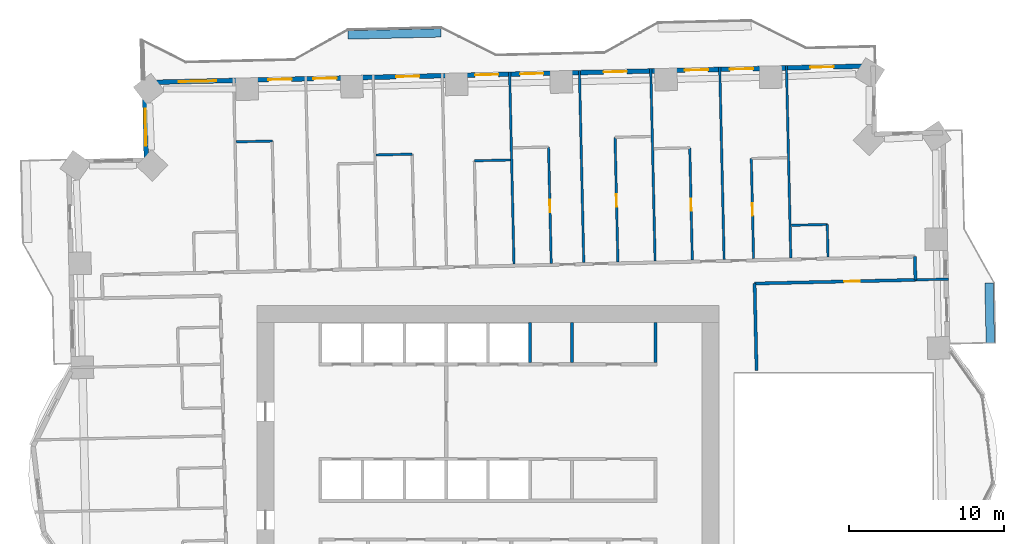
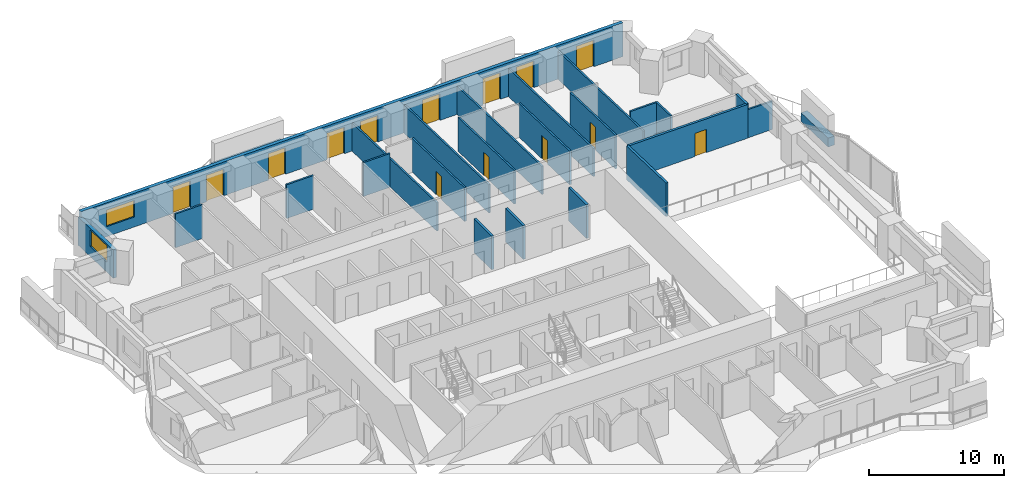
# One storey, part 12 of 17: 25 walls, 14 doors, 2 windows, 16 openings.
"""IFC4 building model written with IfcOpenShell, lengths in metres."""

from ifc_helpers import new_model, si_unit, direction, frame, frame_2d, origin, place, context, subcontext, project, spatial, rectangle, extrude, material, layer, layer_set, type_object, element, fill, save


model = new_model("IFC4")

# Units and contexts
model_context = context("Model", 3, precision=1e-05, world=origin(), true_north=direction((0.0, 1.0)))
body_context = subcontext(model_context, "Body", "Model", "MODEL_VIEW")
ifc_project = project(units=[si_unit("LENGTHUNIT", "METRE"), si_unit("AREAUNIT", "SQUARE_METRE"), si_unit("VOLUMEUNIT", "CUBIC_METRE"), si_unit("PLANEANGLEUNIT", "RADIAN"), si_unit("MASSUNIT", "GRAM", prefix="KILO")], contexts=[model_context])

# Site, building, storey
site_placement = place(None, origin())
site = spatial("IfcSite", under=ifc_project, at=site_placement, CompositionType="ELEMENT")
building_placement = place(site_placement, origin())
building = spatial("IfcBuilding", under=site, at=building_placement, Name="Mangrove Gate Tower", CompositionType="ELEMENT")
storey_placement = place(building_placement, frame((0.0, 0.0, 79.300048828125)))
storey = spatial("IfcBuildingStorey", under=building, at=storey_placement, Name="L19", CompositionType="ELEMENT", Elevation=79.300048828125)

# Walls
ifc_material_1 = material(Name="Concrete C32/40", Category="concrete")
ifc_layer_1 = layer(ifc_material_1, 0.199951171875)
ifc_layer_set_1 = layer_set([ifc_layer_1], Name="Core room wall 200 C32/40")
wall_type_1 = type_object("IfcWallType", Name="Core room wall 200 C32/40", PredefinedType="STANDARD", material=ifc_layer_set_1)
for number, where, z_axis, x_axis, name in (
    (1, (5.39990234375, 8.199951171875, 0.0), (0.0, 0.0, 1.0), (0.0, 1.0, 0.0), "WALL-L19-CORE-33"),
    (2, (10.800048828125, 8.199951171875, 0.0), (0.0, 0.0, 1.0), (0.0, 1.0, 0.0), "WALL-L19-CORE-34"),
):
    element("IfcWall", number, at=place(storey_placement, frame(where, z_axis=z_axis, x_axis=x_axis)), inside=storey, type_object=wall_type_1, Name=name, PredefinedType="STANDARD", context=body_context, shape_type="SweptSolid", body=[
        extrude(rectangle(XDim=2.60009765625, YDim=0.199951171875, at=frame_2d((1.300048828125, 0.0))), origin(), (0.0, 0.0, 1.0), 3.050048828125),
    ])
ifc_material_2 = material(Name="Concrete C70/85", Category="concrete")
ifc_layer_2 = layer(ifc_material_2, 0.199951171875)
ifc_layer_set_2 = layer_set([ifc_layer_2], Name="Core shaft wall 200 C70/85")
wall_type_2 = type_object("IfcWallType", Name="Core shaft wall 200 C70/85", PredefinedType="SHEAR", material=ifc_layer_set_2)
wall_1_placement = place(storey_placement, frame((2.699951171875, 8.199951171875, 0.0), z_axis=(0.0, 0.0, 1.0), x_axis=(0.0, 1.0, 0.0)))
element("IfcWall", 3, at=wall_1_placement, inside=storey, type_object=wall_type_2, Name="WALL-L19-CORE-32", PredefinedType="SHEAR", context=body_context, shape_type="SweptSolid", body=[
    extrude(rectangle(XDim=2.60009765625, YDim=0.199951171875, at=frame_2d((1.300048828125, 0.0))), origin(), (0.0, 0.0, 1.0), 3.050048828125),
])
ifc_material_3 = material(Name="Gypsum board on steel stud, EI 60", Category="steel")
ifc_layer_3 = layer(ifc_material_3, 0.199951171875)
ifc_layer_set_3 = layer_set([ifc_layer_3], Name="Corridor wall EI 60")
wall_type_3 = type_object("IfcWallType", Name="Corridor wall EI 60", PredefinedType="PARTITIONING", material=ifc_layer_set_3)
wall_2_placement = place(storey_placement, frame((17.306884765625, 7.68603515625, 0.0), z_axis=(0.0, 0.0, 1.0), x_axis=(-0.022584272568, 0.999744942789, 0.0)))
element("IfcWall", 4, at=wall_2_placement, inside=storey, type_object=wall_type_3, Name="WALL-L19-051", PredefinedType="PARTITIONING", context=body_context, shape_type="SweptSolid", body=[
    extrude(rectangle(XDim=5.621337890625, YDim=0.199951171875, at=frame_2d((2.810546875, 0.0))), origin(), (0.0, 0.0, 1.0), 3.050048828125),
])

# Wall, opening, door
wall_3_placement = place(storey_placement, frame((17.176025390625, 13.305908203125, 0.0), z_axis=(0.0, 0.0, 1.0), x_axis=(0.999741057438, 0.022755616292, 0.0)))
wall_3 = element("IfcWall", 5, at=wall_3_placement, inside=storey, type_object=wall_type_3, Name="WALL-L19-058", PredefinedType="PARTITIONING", context=body_context, shape_type="SweptSolid", body=[
    extrude(rectangle(XDim=10.374755859375, YDim=0.199951171875, at=frame_2d((5.1875, 0.0))), origin(), (0.0, 0.0, 1.0), 3.050048828125),
])
opening_1_placement = place(wall_3_placement, frame((5.782958984375, 0.0, 0.0)))
opening_1 = element("IfcOpeningElement", 6, at=opening_1_placement, cuts=wall_3, Name="Opening AD", PredefinedType="OPENING", context=body_context, shape_type="SweptSolid", body=[
    extrude(rectangle(XDim=1.0, YDim=2.10009765625, at=frame_2d((0.5, 1.050048828125))), frame((0.0, 0.10986328125, 0.0), z_axis=(0.0, -1.0, 0.0), x_axis=(1.0, 0.0, 0.0)), (0.0, 0.0, 1.0), 0.219970703125),
])
ifc_material_4 = material(Name="Timber door leaf", Category="wood")
door_type_1 = type_object("IfcDoorType", Name="Amenity door 1000", OperationType="SINGLE_SWING_LEFT", PredefinedType="DOOR", material=ifc_material_4)
door_1_placement = place(opening_1_placement, origin())
door_1 = element("IfcDoor", 7, at=door_1_placement, inside=storey, type_object=door_type_1, Name="DOOR-L19-LNG-c3a", OperationType="SINGLE_SWING_RIGHT", OverallHeight=2.10009765625, OverallWidth=1.0, PredefinedType="DOOR", context=body_context, shape_type="SweptSolid", body=[
    extrude(rectangle(XDim=1.0, YDim=2.10009765625, at=frame_2d((0.5, 1.050048828125))), frame((0.0, 0.02490234375, 0.0), z_axis=(0.0, -1.0, 0.0), x_axis=(1.0, 0.0, 0.0)), (0.0, 0.0, 1.0), 0.050048828125),
])
fill(opening_1, door_1)

# Wall
wall_4_placement = place(storey_placement, frame((27.547119140625, 13.5419921875, 0.0), z_axis=(0.0, 0.0, 1.0), x_axis=(-0.02279537805, 0.999740151609, 0.0)))
element("IfcWall", 8, at=wall_4_placement, inside=storey, type_object=wall_type_3, Name="WALL-L19-059", PredefinedType="PARTITIONING", context=body_context, shape_type="SweptSolid", body=[
    extrude(rectangle(XDim=1.49951171875, YDim=0.199951171875, at=frame_2d((0.749755859375, 0.0))), origin(), (0.0, 0.0, 1.0), 3.050048828125),
])

# Wall, openings, doors, window
ifc_material_5 = material(Name="Limestone", Category="masonry")
ifc_layer_4 = layer(ifc_material_5, 0.0400390625, Name="Limestone cladding")
ifc_material_6 = material(Name="Ventilated air gap")
ifc_layer_5 = layer(ifc_material_6, 0.0400390625, Name="Ventilated cavity")
ifc_material_7 = material(Name="Mineral wool insulation")
ifc_layer_6 = layer(ifc_material_7, 0.06005859375, Name="Insulation")
ifc_material_8 = material(Name="Breather membrane")
ifc_layer_7 = layer(ifc_material_8, 0.001953125, Name="Breather membrane")
ifc_material_9 = material(Name="Concrete C20/25 blockwork", Category="masonry")
ifc_layer_8 = layer(ifc_material_9, 0.14990234375, Name="Blockwork backing wall")
ifc_material_10 = material(Name="Gypsum plaster")
ifc_layer_9 = layer(ifc_material_10, 0.008056640625, Name="Internal plaster")
ifc_layer_set_4 = layer_set([ifc_layer_4, ifc_layer_5, ifc_layer_6, ifc_layer_7, ifc_layer_8, ifc_layer_9], Name="External wall 300 limestone cladding")
wall_type_4 = type_object("IfcWallType", Name="External wall 300 limestone cladding", PredefinedType="SOLIDWALL", material=ifc_layer_set_4)
wall_5_placement = place(storey_placement, frame((24.80908203125, 27.3330078125, 0.0), z_axis=(0.0, 0.0, 1.0), x_axis=(-0.999742489858, -0.022692597327, 0.0)))
wall_5 = element("IfcWall", 9, at=wall_5_placement, inside=storey, type_object=wall_type_4, Name="WALL-L19-N5", PredefinedType="SOLIDWALL", context=body_context, shape_type="SweptSolid", body=[
    extrude(rectangle(XDim=46.97216796875, YDim=0.300048828125, at=frame_2d((23.486083984375, 0.0))), origin(), (0.0, 0.0, 1.0), 3.050048828125),
])
opening_2_placement = place(wall_5_placement, frame((2.535888671875, 0.0, 0.0)))
opening_2 = element("IfcOpeningElement", 10, at=opening_2_placement, cuts=wall_5, Name="Opening BD1", PredefinedType="OPENING", context=body_context, shape_type="SweptSolid", body=[
    extrude(rectangle(XDim=1.5, YDim=2.39990234375, at=frame_2d((0.75, 1.199951171875))), frame((0.0, 0.159912109375, 0.0), z_axis=(0.0, -1.0, 0.0), x_axis=(1.0, 0.0, 0.0)), (0.0, 0.0, 1.0), 0.320068359375),
])
opening_3_placement = place(wall_5_placement, frame((7.72607421875, 0.0, 0.0)))
opening_3 = element("IfcOpeningElement", 11, at=opening_3_placement, cuts=wall_5, Name="Opening BD1", PredefinedType="OPENING", context=body_context, shape_type="SweptSolid", body=[
    extrude(rectangle(XDim=1.5, YDim=2.39990234375, at=frame_2d((0.75, 1.199951171875))), frame((0.0, 0.159912109375, 0.0), z_axis=(0.0, -1.0, 0.0), x_axis=(1.0, 0.0, 0.0)), (0.0, 0.0, 1.0), 0.320068359375),
])
opening_4_placement = place(wall_5_placement, frame((10.626953125, 0.0, 0.0)))
opening_4 = element("IfcOpeningElement", 12, at=opening_4_placement, cuts=wall_5, Name="Opening BD1", PredefinedType="OPENING", context=body_context, shape_type="SweptSolid", body=[
    extrude(rectangle(XDim=1.5, YDim=2.39990234375, at=frame_2d((0.75, 1.199951171875))), frame((0.0, 0.159912109375, 0.0), z_axis=(0.0, -1.0, 0.0), x_axis=(1.0, 0.0, 0.0)), (0.0, 0.0, 1.0), 0.320068359375),
])
opening_5_placement = place(wall_5_placement, frame((15.8720703125, 0.0, 0.0)))
opening_5 = element("IfcOpeningElement", 13, at=opening_5_placement, cuts=wall_5, Name="Opening BD1", PredefinedType="OPENING", context=body_context, shape_type="SweptSolid", body=[
    extrude(rectangle(XDim=1.5, YDim=2.39990234375, at=frame_2d((0.75, 1.199951171875))), frame((0.0, 0.159912109375, 0.0), z_axis=(0.0, -1.0, 0.0), x_axis=(1.0, 0.0, 0.0)), (0.0, 0.0, 1.0), 0.320068359375),
])
opening_6_placement = place(wall_5_placement, frame((21.2529296875, 0.0, 0.0)))
opening_6 = element("IfcOpeningElement", 14, at=opening_6_placement, cuts=wall_5, Name="Opening BD1", PredefinedType="OPENING", context=body_context, shape_type="SweptSolid", body=[
    extrude(rectangle(XDim=1.5, YDim=2.39990234375, at=frame_2d((0.75, 1.199951171875))), frame((0.0, 0.159912109375, 0.0), z_axis=(0.0, -1.0, 0.0), x_axis=(1.0, 0.0, 0.0)), (0.0, 0.0, 1.0), 0.320068359375),
])
opening_7_placement = place(wall_5_placement, frame((24.155029296875, 0.0, 0.0)))
opening_7 = element("IfcOpeningElement", 15, at=opening_7_placement, cuts=wall_5, Name="Opening BD1", PredefinedType="OPENING", context=body_context, shape_type="SweptSolid", body=[
    extrude(rectangle(XDim=1.5, YDim=2.39990234375, at=frame_2d((0.75, 1.199951171875))), frame((0.0, 0.159912109375, 0.0), z_axis=(0.0, -1.0, 0.0), x_axis=(1.0, 0.0, 0.0)), (0.0, 0.0, 1.0), 0.320068359375),
])
opening_8_placement = place(wall_5_placement, frame((29.2470703125, 0.0, 0.0)))
opening_8 = element("IfcOpeningElement", 16, at=opening_8_placement, cuts=wall_5, Name="Opening BD1", PredefinedType="OPENING", context=body_context, shape_type="SweptSolid", body=[
    extrude(rectangle(XDim=1.5, YDim=2.39990234375, at=frame_2d((0.75, 1.199951171875))), frame((0.0, 0.159912109375, 0.0), z_axis=(0.0, -1.0, 0.0), x_axis=(1.0, 0.0, 0.0)), (0.0, 0.0, 1.0), 0.320068359375),
])
opening_9_placement = place(wall_5_placement, frame((34.5810546875, 0.0, 0.0)))
opening_9 = element("IfcOpeningElement", 17, at=opening_9_placement, cuts=wall_5, Name="Opening BD1", PredefinedType="OPENING", context=body_context, shape_type="SweptSolid", body=[
    extrude(rectangle(XDim=1.5, YDim=2.39990234375, at=frame_2d((0.75, 1.199951171875))), frame((0.0, 0.159912109375, 0.0), z_axis=(0.0, -1.0, 0.0), x_axis=(1.0, 0.0, 0.0)), (0.0, 0.0, 1.0), 0.320068359375),
])
opening_10_placement = place(wall_5_placement, frame((37.48291015625, 0.0, 0.0)))
opening_10 = element("IfcOpeningElement", 18, at=opening_10_placement, cuts=wall_5, Name="Opening BD1", PredefinedType="OPENING", context=body_context, shape_type="SweptSolid", body=[
    extrude(rectangle(XDim=1.5, YDim=2.39990234375, at=frame_2d((0.75, 1.199951171875))), frame((0.0, 0.159912109375, 0.0), z_axis=(0.0, -1.0, 0.0), x_axis=(1.0, 0.0, 0.0)), (0.0, 0.0, 1.0), 0.320068359375),
])
opening_11_placement = place(wall_5_placement, frame((42.35009765625, 0.0, 0.89990234375)))
opening_11 = element("IfcOpeningElement", 19, at=opening_11_placement, cuts=wall_5, Name="Opening W2", PredefinedType="OPENING", context=body_context, shape_type="SweptSolid", body=[
    extrude(rectangle(XDim=2.39990234375, YDim=1.5, at=frame_2d((1.199951171875, 0.75))), frame((0.0, 0.159912109375, 0.0), z_axis=(0.0, -1.0, 0.0), x_axis=(1.0, 0.0, 0.0)), (0.0, 0.0, 1.0), 0.320068359375),
])
ifc_material_11 = material(Name="Aluminium frame with laminated clear glass", Category="aluminium")
door_type_2 = type_object("IfcDoorType", Name="Balcony sliding door 1500x2400", OperationType="SLIDING_TO_LEFT", PredefinedType="DOOR", material=ifc_material_11)
door_2_placement = place(opening_2_placement, origin())
door_2 = element("IfcDoor", 20, at=door_2_placement, inside=storey, type_object=door_type_2, Name="DOOR-L19-N5-1", OperationType="SLIDING_TO_LEFT", OverallHeight=2.39990234375, OverallWidth=1.5, PredefinedType="DOOR", context=body_context, shape_type="SweptSolid", body=[
    extrude(rectangle(XDim=1.5, YDim=2.39990234375, at=frame_2d((0.75, 1.199951171875))), frame((0.0, 0.02490234375, 0.0), z_axis=(0.0, -1.0, 0.0), x_axis=(1.0, 0.0, 0.0)), (0.0, 0.0, 1.0), 0.050048828125),
])
fill(opening_2, door_2)
door_3_placement = place(opening_3_placement, origin())
door_3 = element("IfcDoor", 21, at=door_3_placement, inside=storey, type_object=door_type_2, Name="DOOR-L19-N5-2", OperationType="SLIDING_TO_LEFT", OverallHeight=2.39990234375, OverallWidth=1.5, PredefinedType="DOOR", context=body_context, shape_type="SweptSolid", body=[
    extrude(rectangle(XDim=1.5, YDim=2.39990234375, at=frame_2d((0.75, 1.199951171875))), frame((0.0, 0.02490234375, 0.0), z_axis=(0.0, -1.0, 0.0), x_axis=(1.0, 0.0, 0.0)), (0.0, 0.0, 1.0), 0.050048828125),
])
fill(opening_3, door_3)
door_4_placement = place(opening_4_placement, origin())
door_4 = element("IfcDoor", 22, at=door_4_placement, inside=storey, type_object=door_type_2, Name="DOOR-L19-N5-3", OperationType="SLIDING_TO_LEFT", OverallHeight=2.39990234375, OverallWidth=1.5, PredefinedType="DOOR", context=body_context, shape_type="SweptSolid", body=[
    extrude(rectangle(XDim=1.5, YDim=2.39990234375, at=frame_2d((0.75, 1.199951171875))), frame((0.0, 0.02490234375, 0.0), z_axis=(0.0, -1.0, 0.0), x_axis=(1.0, 0.0, 0.0)), (0.0, 0.0, 1.0), 0.050048828125),
])
fill(opening_4, door_4)
door_5_placement = place(opening_5_placement, origin())
door_5 = element("IfcDoor", 23, at=door_5_placement, inside=storey, type_object=door_type_2, Name="DOOR-L19-N5-4", OperationType="SLIDING_TO_LEFT", OverallHeight=2.39990234375, OverallWidth=1.5, PredefinedType="DOOR", context=body_context, shape_type="SweptSolid", body=[
    extrude(rectangle(XDim=1.5, YDim=2.39990234375, at=frame_2d((0.75, 1.199951171875))), frame((0.0, 0.02490234375, 0.0), z_axis=(0.0, -1.0, 0.0), x_axis=(1.0, 0.0, 0.0)), (0.0, 0.0, 1.0), 0.050048828125),
])
fill(opening_5, door_5)
door_6_placement = place(opening_6_placement, origin())
door_6 = element("IfcDoor", 24, at=door_6_placement, inside=storey, type_object=door_type_2, Name="DOOR-L19-N5-5", OperationType="SLIDING_TO_LEFT", OverallHeight=2.39990234375, OverallWidth=1.5, PredefinedType="DOOR", context=body_context, shape_type="SweptSolid", body=[
    extrude(rectangle(XDim=1.5, YDim=2.39990234375, at=frame_2d((0.75, 1.199951171875))), frame((0.0, 0.02490234375, 0.0), z_axis=(0.0, -1.0, 0.0), x_axis=(1.0, 0.0, 0.0)), (0.0, 0.0, 1.0), 0.050048828125),
])
fill(opening_6, door_6)
door_7_placement = place(opening_7_placement, origin())
door_7 = element("IfcDoor", 25, at=door_7_placement, inside=storey, type_object=door_type_2, Name="DOOR-L19-N5-6", OperationType="SLIDING_TO_LEFT", OverallHeight=2.39990234375, OverallWidth=1.5, PredefinedType="DOOR", context=body_context, shape_type="SweptSolid", body=[
    extrude(rectangle(XDim=1.5, YDim=2.39990234375, at=frame_2d((0.75, 1.199951171875))), frame((0.0, 0.02490234375, 0.0), z_axis=(0.0, -1.0, 0.0), x_axis=(1.0, 0.0, 0.0)), (0.0, 0.0, 1.0), 0.050048828125),
])
fill(opening_7, door_7)
door_8_placement = place(opening_8_placement, origin())
door_8 = element("IfcDoor", 26, at=door_8_placement, inside=storey, type_object=door_type_2, Name="DOOR-L19-N5-7", OperationType="SLIDING_TO_LEFT", OverallHeight=2.39990234375, OverallWidth=1.5, PredefinedType="DOOR", context=body_context, shape_type="SweptSolid", body=[
    extrude(rectangle(XDim=1.5, YDim=2.39990234375, at=frame_2d((0.75, 1.199951171875))), frame((0.0, 0.02490234375, 0.0), z_axis=(0.0, -1.0, 0.0), x_axis=(1.0, 0.0, 0.0)), (0.0, 0.0, 1.0), 0.050048828125),
])
fill(opening_8, door_8)
door_9_placement = place(opening_9_placement, origin())
door_9 = element("IfcDoor", 27, at=door_9_placement, inside=storey, type_object=door_type_2, Name="DOOR-L19-N5-8", OperationType="SLIDING_TO_LEFT", OverallHeight=2.39990234375, OverallWidth=1.5, PredefinedType="DOOR", context=body_context, shape_type="SweptSolid", body=[
    extrude(rectangle(XDim=1.5, YDim=2.39990234375, at=frame_2d((0.75, 1.199951171875))), frame((0.0, 0.02490234375, 0.0), z_axis=(0.0, -1.0, 0.0), x_axis=(1.0, 0.0, 0.0)), (0.0, 0.0, 1.0), 0.050048828125),
])
fill(opening_9, door_9)
door_10_placement = place(opening_10_placement, origin())
door_10 = element("IfcDoor", 28, at=door_10_placement, inside=storey, type_object=door_type_2, Name="DOOR-L19-N5-9", OperationType="SLIDING_TO_LEFT", OverallHeight=2.39990234375, OverallWidth=1.5, PredefinedType="DOOR", context=body_context, shape_type="SweptSolid", body=[
    extrude(rectangle(XDim=1.5, YDim=2.39990234375, at=frame_2d((0.75, 1.199951171875))), frame((0.0, 0.02490234375, 0.0), z_axis=(0.0, -1.0, 0.0), x_axis=(1.0, 0.0, 0.0)), (0.0, 0.0, 1.0), 0.050048828125),
])
fill(opening_10, door_10)
ifc_material_12 = material(Name="Aluminium frame with double-glazed low-e glass", Category="aluminium")
window_type = type_object("IfcWindowType", Name="Corner room window 2400x1500", PartitioningType="DOUBLE_PANEL_VERTICAL", PredefinedType="WINDOW", material=ifc_material_12)
window_1_placement = place(opening_11_placement, origin())
window_1 = element("IfcWindow", 29, at=window_1_placement, inside=storey, type_object=window_type, Name="WIN-L19-N5-10", OverallHeight=1.5, OverallWidth=2.39990234375, PartitioningType="DOUBLE_PANEL_VERTICAL", PredefinedType="WINDOW", context=body_context, shape_type="SweptSolid", body=[
    extrude(rectangle(XDim=2.39990234375, YDim=1.5, at=frame_2d((1.199951171875, 0.75))), frame((0.0, 0.030029296875, 0.0), z_axis=(0.0, -1.0, 0.0), x_axis=(1.0, 0.0, 0.0)), (0.0, 0.0, 1.0), 0.06005859375),
])
fill(opening_11, window_1)

# Wall, opening, window
wall_6_placement = place(storey_placement, frame((-22.15087890625, 26.26708984375, 0.0), z_axis=(0.0, 0.0, 1.0), x_axis=(0.022756903044, -0.999741028149, 0.0)))
wall_6 = element("IfcWall", 30, at=wall_6_placement, inside=storey, type_object=wall_type_4, Name="WALL-L19-W6", PredefinedType="SOLIDWALL", context=body_context, shape_type="SweptSolid", body=[
    extrude(rectangle(XDim=4.999267578125, YDim=0.300048828125, at=frame_2d((2.49951171875, 0.0))), origin(), (0.0, 0.0, 1.0), 2.550048828125),
])
opening_12_placement = place(wall_6_placement, frame((1.69189453125, 0.0, 0.89990234375)))
opening_12 = element("IfcOpeningElement", 31, at=opening_12_placement, cuts=wall_6, Name="Opening W2", PredefinedType="OPENING", context=body_context, shape_type="SweptSolid", body=[
    extrude(rectangle(XDim=2.39990234375, YDim=1.5, at=frame_2d((1.199951171875, 0.75))), frame((0.0, 0.159912109375, 0.0), z_axis=(0.0, -1.0, 0.0), x_axis=(1.0, 0.0, 0.0)), (0.0, 0.0, 1.0), 0.320068359375),
])
window_2_placement = place(opening_12_placement, origin())
window_2 = element("IfcWindow", 32, at=window_2_placement, inside=storey, type_object=window_type, Name="WIN-L19-W6-1", OverallHeight=1.5, OverallWidth=2.39990234375, PartitioningType="DOUBLE_PANEL_VERTICAL", PredefinedType="WINDOW", context=body_context, shape_type="SweptSolid", body=[
    extrude(rectangle(XDim=2.39990234375, YDim=1.5, at=frame_2d((1.199951171875, 0.75))), frame((0.0, 0.030029296875, 0.0), z_axis=(0.0, -1.0, 0.0), x_axis=(1.0, 0.0, 0.0)), (0.0, 0.0, 1.0), 0.06005859375),
])
fill(opening_12, window_2)

# Walls
ifc_material_13 = material(Name="Gypsum board on steel stud, EI 60", Category="steel")
ifc_layer_10 = layer(ifc_material_13, 0.14990234375)
ifc_layer_set_5 = layer_set([ifc_layer_10], Name="Party wall 150 EI 60")
wall_type_5 = type_object("IfcWallType", Name="Party wall 150 EI 60", PredefinedType="PARTITIONING", material=ifc_layer_set_5)
wall_7_placement = place(storey_placement, frame((27.548095703125, 13.5419921875, 0.0), z_axis=(0.0, 0.0, 1.0), x_axis=(0.999743730464, 0.022637875276, 0.0)))
element("IfcWall", 33, at=wall_7_placement, inside=storey, type_object=wall_type_5, Name="WALL-L19-060", PredefinedType="PARTITIONING", context=body_context, shape_type="SweptSolid", body=[
    extrude(rectangle(XDim=2.12451171875, YDim=0.14990234375, at=frame_2d((1.062255859375, 0.0))), origin(), (0.0, 0.0, 1.0), 2.550048828125),
])
wall_8_placement = place(storey_placement, frame((1.6669921875, 14.554931640625, 0.0), z_axis=(0.0, 0.0, 1.0), x_axis=(-0.022661475803, 0.999743195783, 0.0)))
element("IfcWall", 34, at=wall_8_placement, inside=storey, type_object=wall_type_5, Name="WALL-L19-071", PredefinedType="PARTITIONING", context=body_context, shape_type="SweptSolid", body=[
    extrude(rectangle(XDim=12.400146484375, YDim=0.14990234375, at=frame_2d((6.2001953125, 0.0))), origin(), (0.0, 0.0, 1.0), 2.550048828125),
])

# Wall, opening, door
wall_9_placement = place(storey_placement, frame((4.06689453125, 14.60888671875, 0.0), z_axis=(0.0, 0.0, 1.0), x_axis=(-0.022786475911, 0.99974035455, 0.0)))
wall_9 = element("IfcWall", 35, at=wall_9_placement, inside=storey, type_object=wall_type_5, Name="WALL-L19-072", PredefinedType="PARTITIONING", context=body_context, shape_type="SweptSolid", body=[
    extrude(rectangle(XDim=7.5, YDim=0.14990234375, at=frame_2d((3.75, 0.0))), origin(), (0.0, 0.0, 1.0), 3.050048828125),
])
opening_13_placement = place(wall_9_placement, frame((3.300048828125, 0.0, 0.0)))
opening_13 = element("IfcOpeningElement", 36, at=opening_13_placement, cuts=wall_9, Name="Opening ED", PredefinedType="OPENING", context=body_context, shape_type="SweptSolid", body=[
    extrude(rectangle(XDim=0.800048828125, YDim=2.10009765625, at=frame_2d((0.39990234375, 1.050048828125))), frame((0.0, 0.0849609375, 0.0), z_axis=(0.0, -1.0, 0.0), x_axis=(1.0, 0.0, 0.0)), (0.0, 0.0, 1.0), 0.169921875),
])
ifc_material_14 = material(Name="Timber door leaf", Category="wood")
door_type_3 = type_object("IfcDoorType", Name="En-suite door 800", OperationType="SINGLE_SWING_LEFT", PredefinedType="DOOR", material=ifc_material_14)
door_11_placement = place(opening_13_placement, origin())
door_11 = element("IfcDoor", 37, at=door_11_placement, inside=storey, type_object=door_type_3, Name="DOOR-L19-ENS-c412", OperationType="SINGLE_SWING_RIGHT", OverallHeight=2.10009765625, OverallWidth=0.800048828125, PredefinedType="DOOR", context=body_context, shape_type="SweptSolid", body=[
    extrude(rectangle(XDim=0.800048828125, YDim=2.10009765625, at=frame_2d((0.39990234375, 1.050048828125))), frame((0.0, 0.02490234375, 0.0), z_axis=(0.0, -1.0, 0.0), x_axis=(1.0, 0.0, 0.0)), (0.0, 0.0, 1.0), 0.050048828125),
])
fill(opening_13, door_11)

# Wall
wall_10_placement = place(storey_placement, frame((6.166015625, 14.656982421875, 0.0), z_axis=(0.0, 0.0, 1.0), x_axis=(-0.022661475803, 0.999743195783, 0.0)))
element("IfcWall", 38, at=wall_10_placement, inside=storey, type_object=wall_type_5, Name="WALL-L19-073", PredefinedType="PARTITIONING", context=body_context, shape_type="SweptSolid", body=[
    extrude(rectangle(XDim=12.400146484375, YDim=0.14990234375, at=frame_2d((6.2001953125, 0.0))), origin(), (0.0, 0.0, 1.0), 2.550048828125),
])

# Wall, opening, door
wall_11_placement = place(storey_placement, frame((8.365966796875, 14.70703125, 0.0), z_axis=(0.0, 0.0, 1.0), x_axis=(-0.022771820566, 0.999740688473, 0.0)))
wall_11 = element("IfcWall", 39, at=wall_11_placement, inside=storey, type_object=wall_type_5, Name="WALL-L19-074", PredefinedType="PARTITIONING", context=body_context, shape_type="SweptSolid", body=[
    extrude(rectangle(XDim=8.0302734375, YDim=0.14990234375, at=frame_2d((4.01513671875, 0.0))), origin(), (0.0, 0.0, 1.0), 3.050048828125),
])
opening_14_placement = place(wall_11_placement, frame((3.56494140625, 0.0, 0.0)))
opening_14 = element("IfcOpeningElement", 40, at=opening_14_placement, cuts=wall_11, Name="Opening ED", PredefinedType="OPENING", context=body_context, shape_type="SweptSolid", body=[
    extrude(rectangle(XDim=0.800048828125, YDim=2.10009765625, at=frame_2d((0.39990234375, 1.050048828125))), frame((0.0, 0.0849609375, 0.0), z_axis=(0.0, -1.0, 0.0), x_axis=(1.0, 0.0, 0.0)), (0.0, 0.0, 1.0), 0.169921875),
])
door_12_placement = place(opening_14_placement, origin())
door_12 = element("IfcDoor", 41, at=door_12_placement, inside=storey, type_object=door_type_3, Name="DOOR-L19-ENS-c411", OperationType="SINGLE_SWING_LEFT", OverallHeight=2.10009765625, OverallWidth=0.800048828125, PredefinedType="DOOR", context=body_context, shape_type="SweptSolid", body=[
    extrude(rectangle(XDim=0.800048828125, YDim=2.10009765625, at=frame_2d((0.39990234375, 1.050048828125))), frame((0.0, 0.02490234375, 0.0), z_axis=(0.0, -1.0, 0.0), x_axis=(1.0, 0.0, 0.0)), (0.0, 0.0, 1.0), 0.050048828125),
])
fill(opening_14, door_12)

# Wall
wall_12_placement = place(storey_placement, frame((10.764892578125, 14.760986328125, 0.0), z_axis=(0.0, 0.0, 1.0), x_axis=(-0.022661475803, 0.999743195783, 0.0)))
element("IfcWall", 42, at=wall_12_placement, inside=storey, type_object=wall_type_5, Name="WALL-L19-075", PredefinedType="PARTITIONING", context=body_context, shape_type="SweptSolid", body=[
    extrude(rectangle(XDim=12.400146484375, YDim=0.14990234375, at=frame_2d((6.2001953125, 0.0))), origin(), (0.0, 0.0, 1.0), 2.550048828125),
])

# Wall, opening, door
wall_13_placement = place(storey_placement, frame((13.1640625, 14.81591796875, 0.0), z_axis=(0.0, 0.0, 1.0), x_axis=(-0.022660891034, 0.999743209038, 0.0)))
wall_13 = element("IfcWall", 43, at=wall_13_placement, inside=storey, type_object=wall_type_5, Name="WALL-L19-076", PredefinedType="PARTITIONING", context=body_context, shape_type="SweptSolid", body=[
    extrude(rectangle(XDim=7.239990234375, YDim=0.14990234375, at=frame_2d((3.6201171875, 0.0))), origin(), (0.0, 0.0, 1.0), 3.050048828125),
])
opening_15_placement = place(wall_13_placement, frame((3.169921875, 0.0, 0.0)))
opening_15 = element("IfcOpeningElement", 44, at=opening_15_placement, cuts=wall_13, Name="Opening ED", PredefinedType="OPENING", context=body_context, shape_type="SweptSolid", body=[
    extrude(rectangle(XDim=0.800048828125, YDim=2.10009765625, at=frame_2d((0.39990234375, 1.050048828125))), frame((0.0, 0.0849609375, 0.0), z_axis=(0.0, -1.0, 0.0), x_axis=(1.0, 0.0, 0.0)), (0.0, 0.0, 1.0), 0.169921875),
])
door_13_placement = place(opening_15_placement, origin())
door_13 = element("IfcDoor", 45, at=door_13_placement, inside=storey, type_object=door_type_3, Name="DOOR-L19-ENS-c310", OperationType="SINGLE_SWING_RIGHT", OverallHeight=2.10009765625, OverallWidth=0.800048828125, PredefinedType="DOOR", context=body_context, shape_type="SweptSolid", body=[
    extrude(rectangle(XDim=0.800048828125, YDim=2.10009765625, at=frame_2d((0.39990234375, 1.050048828125))), frame((0.0, 0.02490234375, 0.0), z_axis=(0.0, -1.0, 0.0), x_axis=(1.0, 0.0, 0.0)), (0.0, 0.0, 1.0), 0.050048828125),
])
fill(opening_15, door_13)

# Wall
wall_14_placement = place(storey_placement, frame((15.214111328125, 14.862060546875, 0.0), z_axis=(0.0, 0.0, 1.0), x_axis=(-0.022759867473, 0.999740960666, 0.0)))
element("IfcWall", 46, at=wall_14_placement, inside=storey, type_object=wall_type_5, Name="WALL-L19-077", PredefinedType="PARTITIONING", context=body_context, shape_type="SweptSolid", body=[
    extrude(rectangle(XDim=12.400146484375, YDim=0.14990234375, at=frame_2d((6.2001953125, 0.0))), origin(), (0.0, 0.0, 1.0), 2.550048828125),
])

# Wall, opening, door
wall_15_placement = place(storey_placement, frame((17.113037109375, 14.905029296875, 0.0), z_axis=(0.0, 0.0, 1.0), x_axis=(-0.022597796078, 0.999744637201, 0.0)))
wall_15 = element("IfcWall", 47, at=wall_15_placement, inside=storey, type_object=wall_type_5, Name="WALL-L19-078", PredefinedType="PARTITIONING", context=body_context, shape_type="SweptSolid", body=[
    extrude(rectangle(XDim=6.460693359375, YDim=0.14990234375, at=frame_2d((3.23046875, 0.0))), origin(), (0.0, 0.0, 1.0), 3.050048828125),
])
opening_16_placement = place(wall_15_placement, frame((2.780029296875, 0.0, 0.0)))
opening_16 = element("IfcOpeningElement", 48, at=opening_16_placement, cuts=wall_15, Name="Opening ED", PredefinedType="OPENING", context=body_context, shape_type="SweptSolid", body=[
    extrude(rectangle(XDim=0.800048828125, YDim=2.10009765625, at=frame_2d((0.39990234375, 1.050048828125))), frame((0.0, 0.0849609375, 0.0), z_axis=(0.0, -1.0, 0.0), x_axis=(1.0, 0.0, 0.0)), (0.0, 0.0, 1.0), 0.169921875),
])
door_14_placement = place(opening_16_placement, origin())
door_14 = element("IfcDoor", 49, at=door_14_placement, inside=storey, type_object=door_type_3, Name="DOOR-L19-ENS-c309", OperationType="SINGLE_SWING_LEFT", OverallHeight=2.10009765625, OverallWidth=0.800048828125, PredefinedType="DOOR", context=body_context, shape_type="SweptSolid", body=[
    extrude(rectangle(XDim=0.800048828125, YDim=2.10009765625, at=frame_2d((0.39990234375, 1.050048828125))), frame((0.0, 0.02490234375, 0.0), z_axis=(0.0, -1.0, 0.0), x_axis=(1.0, 0.0, 0.0)), (0.0, 0.0, 1.0), 0.050048828125),
])
fill(opening_16, door_14)

# Walls
wall_16_placement = place(storey_placement, frame((19.512939453125, 14.9599609375, 0.0), z_axis=(0.0, 0.0, 1.0), x_axis=(-0.022740189192, 0.999741408463, 0.0)))
element("IfcWall", 50, at=wall_16_placement, inside=storey, type_object=wall_type_5, Name="WALL-L19-079", PredefinedType="PARTITIONING", context=body_context, shape_type="SweptSolid", body=[
    extrude(rectangle(XDim=12.400146484375, YDim=0.14990234375, at=frame_2d((6.2001953125, 0.0))), origin(), (0.0, 0.0, 1.0), 2.550048828125),
])
wall_17_placement = place(storey_placement, frame((21.912109375, 15.013916015625, 0.0), z_axis=(0.0, 0.0, 1.0), x_axis=(-0.022895647347, 0.999737860308, 0.0)))
element("IfcWall", 51, at=wall_17_placement, inside=storey, type_object=wall_type_5, Name="WALL-L19-080", PredefinedType="PARTITIONING", context=body_context, shape_type="SweptSolid", body=[
    extrude(rectangle(XDim=2.1005859375, YDim=0.14990234375, at=frame_2d((1.05029296875, 0.0))), origin(), (0.0, 0.0, 1.0), 3.050048828125),
])
wall_18_placement = place(storey_placement, frame((19.5439453125, 17.06103515625, 0.0), z_axis=(0.0, 0.0, 1.0), x_axis=(0.999740260747, 0.02279059109, 0.0)))
element("IfcWall", 52, at=wall_18_placement, inside=storey, type_object=wall_type_5, Name="WALL-L19-081", PredefinedType="PARTITIONING", context=body_context, shape_type="SweptSolid", body=[
    extrude(rectangle(XDim=2.324462890625, YDim=0.14990234375, at=frame_2d((1.162109375, 0.0))), origin(), (0.0, 0.0, 1.0), 3.050048828125),
])
wall_19_placement = place(storey_placement, frame((-0.881103515625, 21.218994140625, 0.0), z_axis=(0.0, 0.0, 1.0), x_axis=(0.99974053329, 0.022778632478, 0.0)))
element("IfcWall", 53, at=wall_19_placement, inside=storey, type_object=wall_type_5, Name="WALL-L19-085", PredefinedType="PARTITIONING", context=body_context, shape_type="SweptSolid", body=[
    extrude(rectangle(XDim=2.32568359375, YDim=0.14990234375, at=frame_2d((1.162841796875, 0.0))), origin(), (0.0, 0.0, 1.0), 3.050048828125),
])
wall_20_placement = place(storey_placement, frame((-7.216064453125, 21.594970703125, 0.0), z_axis=(0.0, 0.0, 1.0), x_axis=(0.999740478815, 0.022781023197, 0.0)))
element("IfcWall", 54, at=wall_20_placement, inside=storey, type_object=wall_type_5, Name="WALL-L19-086", PredefinedType="PARTITIONING", context=body_context, shape_type="SweptSolid", body=[
    extrude(rectangle(XDim=2.325439453125, YDim=0.14990234375, at=frame_2d((1.16259765625, 0.0))), origin(), (0.0, 0.0, 1.0), 3.050048828125),
])
wall_21_placement = place(storey_placement, frame((-16.237060546875, 22.44091796875, 0.0), z_axis=(0.0, 0.0, 1.0), x_axis=(0.999749744571, 0.022370700241, 0.0)))
element("IfcWall", 55, at=wall_21_placement, inside=storey, type_object=wall_type_5, Name="WALL-L19-090", PredefinedType="PARTITIONING", context=body_context, shape_type="SweptSolid", body=[
    extrude(rectangle(XDim=2.324462890625, YDim=0.14990234375, at=frame_2d((1.162109375, 0.0))), origin(), (0.0, 0.0, 1.0), 3.050048828125),
])
ifc_material_15 = material(Name="Concrete C32/40", Category="concrete")
ifc_layer_11 = layer(ifc_material_15, 0.199951171875, Name="Planter trough wall")
ifc_material_16 = material(Name="Bituminous waterproofing membrane")
ifc_layer_12 = layer(ifc_material_16, 0.0048828125, Name="Waterproofing")
ifc_material_17 = material(Name="Drainage board and gravel")
ifc_layer_13 = layer(ifc_material_17, 0.044921875, Name="Drainage layer")
ifc_material_18 = material(Name="Planting soil")
ifc_layer_14 = layer(ifc_material_18, 0.300048828125, Name="Growing medium")
ifc_layer_set_6 = layer_set([ifc_layer_11, ifc_layer_12, ifc_layer_13, ifc_layer_14], Name="Planter wall 550 C32/40")
wall_type_6 = type_object("IfcWallType", Name="Planter wall 550 C32/40", PredefinedType="USERDEFINED", material=ifc_layer_set_6)
wall_22_placement = place(storey_placement, frame((32.381103515625, 9.47607421875, 0.0), z_axis=(0.0, 0.0, 1.0), x_axis=(-0.022744303924, 0.999741314861, 0.0)))
element("IfcWall", 56, at=wall_22_placement, inside=storey, type_object=wall_type_6, Name="PLANTER L19 E1.1", ObjectType="PLANTER", PredefinedType="USERDEFINED", context=body_context, shape_type="SweptSolid", body=[
    extrude(rectangle(XDim=3.875, YDim=0.550048828125, at=frame_2d((1.9375, 0.0))), origin(), (0.0, 0.0, 1.0), 0.800048828125),
])
wall_23_placement = place(storey_placement, frame((-9.031005859375, 29.3310546875, 0.0), z_axis=(0.0, 0.0, 1.0), x_axis=(0.999743094499, 0.022665943652, 0.0)))
element("IfcWall", 57, at=wall_23_placement, inside=storey, type_object=wall_type_6, Name="PLANTER L19 N1.1", ObjectType="PLANTER", PredefinedType="USERDEFINED", context=body_context, shape_type="SweptSolid", body=[
    extrude(rectangle(XDim=5.99951171875, YDim=0.550048828125, at=frame_2d((2.999755859375, 0.0))), origin(), (0.0, 0.0, 1.0), 0.800048828125),
])

save(model, "model.ifc")
